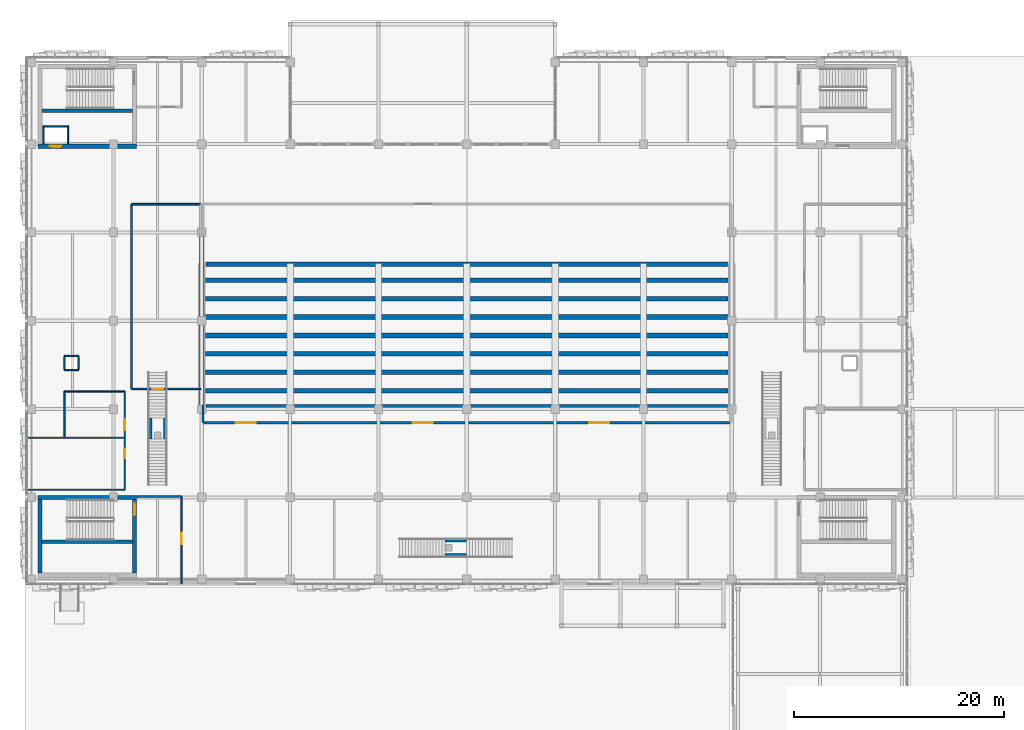
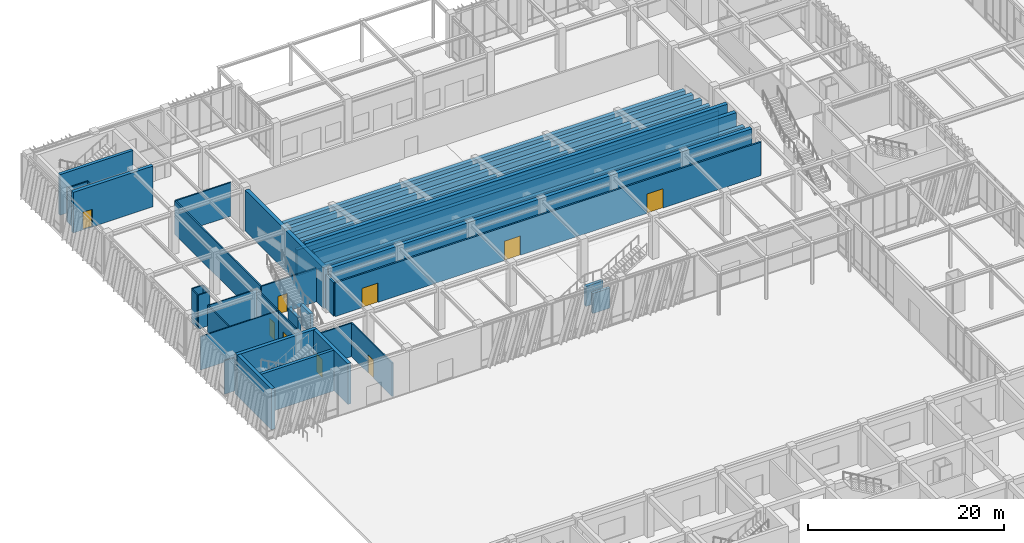
# One storey, part 96 of 122: 40 walls, 9 doors, 9 openings.
"""IFC4 building model written with IfcOpenShell, lengths in metres."""

from ifc_helpers import new_model, si_unit, direction, frame, frame_2d, origin, place, context, subcontext, project, spatial, rectangle, extrude, material, layer, layer_set, type_object, element, fill, save


model = new_model("IFC4")

# Units and contexts
model_context = context("Model", 3, precision=1e-05, world=origin(), true_north=direction((0.0, 1.0)))
body_context = subcontext(model_context, "Body", "Model", "MODEL_VIEW")
ifc_project = project(units=[si_unit("LENGTHUNIT", "METRE"), si_unit("AREAUNIT", "SQUARE_METRE"), si_unit("VOLUMEUNIT", "CUBIC_METRE"), si_unit("PLANEANGLEUNIT", "RADIAN"), si_unit("MASSUNIT", "GRAM", prefix="KILO")], contexts=[model_context])

# Site, building, storey
site_placement = place(None, origin())
site = spatial("IfcSite", under=ifc_project, at=site_placement, CompositionType="ELEMENT")
building_placement = place(site_placement, origin())
building = spatial("IfcBuilding", under=site, at=building_placement, Name="Zayran Congress Hotel", CompositionType="ELEMENT")
storey_placement = place(building_placement, origin())
storey = spatial("IfcBuildingStorey", under=building, at=storey_placement, Name="L00", CompositionType="ELEMENT", Elevation=0.0)

# Walls
ifc_material_1 = material(Name="Concrete C32/40", Category="concrete")
ifc_layer_1 = layer(ifc_material_1, 0.449951171875)
ifc_layer_set_1 = layer_set([ifc_layer_1], Name="Concrete C32/40")
wall_type_1 = type_object("IfcWallType", Name="WL-RT-450", PredefinedType="USERDEFINED", material=ifc_layer_set_1)
wall_1_placement = place(storey_placement, frame((25.199951171875, 84.800048828125, 0.0), z_axis=(0.0, 0.0, 1.0), x_axis=(0.0, 1.0, 0.0)))
element("IfcWall", 1, at=wall_1_placement, inside=storey, type_object=wall_type_1, Name="RKWALL-L00-SIDE-W", ObjectType="RETAININGWALL", PredefinedType="USERDEFINED", context=body_context, shape_type="SweptSolid", body=[
    extrude(rectangle(XDim=16.0, YDim=0.449951171875, at=frame_2d((8.0, 0.0))), origin(), (0.0, 0.0, 1.0), 5.080078125),
])
wall_2_placement = place(storey_placement, frame((25.60009765625, 84.625, 0.0), z_axis=(0.0, 0.0, 1.0), x_axis=(1.0, 0.0, 0.0)))
element("IfcWall", 2, at=wall_2_placement, inside=storey, type_object=wall_type_1, Name="RKWALL-L00-BACK", ObjectType="RETAININGWALL", PredefinedType="USERDEFINED", context=body_context, shape_type="SweptSolid", body=[
    extrude(rectangle(XDim=49.599853515625, YDim=0.449951171875, at=frame_2d((24.7998046875, 0.0))), origin(), (0.0, 0.0, 1.0), 5.080078125),
])
wall_3_placement = place(storey_placement, frame((25.60009765625, 98.175048828125, 0.0), z_axis=(0.0, 0.0, 1.0), x_axis=(1.0, 0.0, 0.0)))
element("IfcWall", 3, at=wall_3_placement, inside=storey, type_object=wall_type_1, Name="RKWALL-L00-FRONT", ObjectType="RETAININGWALL", PredefinedType="USERDEFINED", context=body_context, shape_type="SweptSolid", body=[
    extrude(rectangle(XDim=49.599853515625, YDim=0.449951171875, at=frame_2d((24.7998046875, 0.0))), origin(), (0.0, 0.0, 1.0), 1.6201171875),
])
wall_4_placement = place(storey_placement, frame((25.550048828125, 86.14990234375, 0.0), z_axis=(0.0, 0.0, 1.0), x_axis=(1.0, 0.0, 0.0)))
element("IfcWall", 4, at=wall_4_placement, inside=storey, type_object=wall_type_1, Name="RKWALL-L00-TJ1", ObjectType="RETAININGWALL", PredefinedType="USERDEFINED", context=body_context, shape_type="SweptSolid", body=[
    extrude(rectangle(XDim=49.699951171875, YDim=0.449951171875, at=frame_2d((24.85009765625, 0.0))), origin(), (0.0, 0.0, 1.0), 4.419921875),
])
for number, where, z_axis, x_axis, name in (
    (5, (25.550048828125, 87.89990234375, 0.0), (0.0, 0.0, 1.0), (1.0, 0.0, 0.0), "RKWALL-L00-TJ2"),
    (6, (25.550048828125, 89.64990234375, 0.0), (0.0, 0.0, 1.0), (1.0, 0.0, 0.0), "RKWALL-L00-TJ3"),
):
    element("IfcWall", number, at=place(storey_placement, frame(where, z_axis=z_axis, x_axis=x_axis)), inside=storey, type_object=wall_type_1, Name=name, ObjectType="RETAININGWALL", PredefinedType="USERDEFINED", context=body_context, shape_type="SweptSolid", body=[
        extrude(rectangle(XDim=49.699951171875, YDim=0.449951171875, at=frame_2d((24.85009765625, 0.0))), origin(), (0.0, 0.0, 1.0), 5.080078125),
    ])
wall_5_placement = place(storey_placement, frame((25.550048828125, 91.39990234375, 0.0), z_axis=(0.0, 0.0, 1.0), x_axis=(1.0, 0.0, 0.0)))
element("IfcWall", 7, at=wall_5_placement, inside=storey, type_object=wall_type_1, Name="RKWALL-L00-TJ4", ObjectType="RETAININGWALL", PredefinedType="USERDEFINED", context=body_context, shape_type="SweptSolid", body=[
    extrude(rectangle(XDim=49.699951171875, YDim=0.449951171875, at=frame_2d((24.85009765625, 0.0))), origin(), (0.0, 0.0, 1.0), 3.219970703125),
])
wall_6_placement = place(storey_placement, frame((25.550048828125, 93.14990234375, 0.0), z_axis=(0.0, 0.0, 1.0), x_axis=(1.0, 0.0, 0.0)))
element("IfcWall", 8, at=wall_6_placement, inside=storey, type_object=wall_type_1, Name="RKWALL-L00-TJ5", ObjectType="RETAININGWALL", PredefinedType="USERDEFINED", context=body_context, shape_type="SweptSolid", body=[
    extrude(rectangle(XDim=49.699951171875, YDim=0.449951171875, at=frame_2d((24.85009765625, 0.0))), origin(), (0.0, 0.0, 1.0), 2.820068359375),
])
wall_7_placement = place(storey_placement, frame((25.550048828125, 94.89990234375, 0.0), z_axis=(0.0, 0.0, 1.0), x_axis=(1.0, 0.0, 0.0)))
element("IfcWall", 9, at=wall_7_placement, inside=storey, type_object=wall_type_1, Name="RKWALL-L00-TJ6", ObjectType="RETAININGWALL", PredefinedType="USERDEFINED", context=body_context, shape_type="SweptSolid", body=[
    extrude(rectangle(XDim=49.699951171875, YDim=0.449951171875, at=frame_2d((24.85009765625, 0.0))), origin(), (0.0, 0.0, 1.0), 2.419921875),
])
wall_8_placement = place(storey_placement, frame((25.550048828125, 96.64990234375, 0.0), z_axis=(0.0, 0.0, 1.0), x_axis=(1.0, 0.0, 0.0)))
element("IfcWall", 10, at=wall_8_placement, inside=storey, type_object=wall_type_1, Name="RKWALL-L00-TJ7", ObjectType="RETAININGWALL", PredefinedType="USERDEFINED", context=body_context, shape_type="SweptSolid", body=[
    extrude(rectangle(XDim=49.699951171875, YDim=0.449951171875, at=frame_2d((24.85009765625, 0.0))), origin(), (0.0, 0.0, 1.0), 2.02001953125),
])

# Wall, opening, door
ifc_material_2 = material(Name="Concrete C40/50", Category="concrete")
ifc_layer_2 = layer(ifc_material_2, 0.39990234375)
ifc_layer_set_2 = layer_set([ifc_layer_2], Name="Concrete C40/50")
wall_type_2 = type_object("IfcWallType", Name="WL-SH-400", PredefinedType="SHEAR", material=ifc_layer_set_2)
wall_9_placement = place(storey_placement, frame((9.60009765625, 109.39990234375, 0.0), z_axis=(0.0, 0.0, 1.0), x_axis=(1.0, 0.0, 0.0)))
wall_9 = element("IfcWall", 11, at=wall_9_placement, inside=storey, type_object=wall_type_2, Name="CWALL-C-V1W-L00-S", PredefinedType="SHEAR", context=body_context, shape_type="SweptSolid", body=[
    extrude(rectangle(XDim=9.39990234375, YDim=0.39990234375, at=frame_2d((4.699951171875, 0.0))), origin(), (0.0, 0.0, 1.0), 5.080078125),
])
opening_1_placement = place(wall_9_placement, frame((1.14990234375, 0.0, 0.0)))
opening_1 = element("IfcOpeningElement", 12, at=opening_1_placement, cuts=wall_9, Name="Opening LD-PL04", PredefinedType="OPENING", context=body_context, shape_type="SweptSolid", body=[
    extrude(rectangle(XDim=1.10009765625, YDim=2.199951171875, at=frame_2d((0.550048828125, 1.10009765625))), frame((0.0, 0.2099609375, 0.0), z_axis=(0.0, -1.0, 0.0), x_axis=(1.0, 0.0, 0.0)), (0.0, 0.0, 1.0), 0.419921875),
])
ifc_material_3 = material(Name="Brushed stainless steel sliding lift landing door", Category="steel")
door_type_1 = type_object("IfcDoorType", Name="TP-DR-LD-01", OperationType="DOUBLE_DOOR_SLIDING", PredefinedType="DOOR", material=ifc_material_3)
door_1_placement = place(opening_1_placement, origin())
door_1 = element("IfcDoor", 13, at=door_1_placement, inside=storey, type_object=door_type_1, Name="Lift PL-04 Sliding Landing Door L00", OperationType="DOUBLE_DOOR_SLIDING", OverallHeight=2.199951171875, OverallWidth=1.10009765625, PredefinedType="DOOR", context=body_context, shape_type="SweptSolid", body=[
    extrude(rectangle(XDim=1.10009765625, YDim=2.199951171875, at=frame_2d((0.550048828125, 1.10009765625))), frame((0.0, 0.02490234375, 0.0), z_axis=(0.0, -1.0, 0.0), x_axis=(1.0, 0.0, 0.0)), (0.0, 0.0, 1.0), 0.050048828125),
])
fill(opening_1, door_1)

# Walls
wall_10_placement = place(storey_placement, frame((19.0, 75.985107421875, 0.0), z_axis=(0.0, 0.0, 1.0), x_axis=(-1.0, 0.0, 0.0)))
element("IfcWall", 14, at=wall_10_placement, inside=storey, type_object=wall_type_2, Name="CWALL-C-V1S-L00-N", PredefinedType="SHEAR", context=body_context, shape_type="SweptSolid", body=[
    extrude(rectangle(XDim=9.39990234375, YDim=0.39990234375, at=frame_2d((4.699951171875, 0.0))), origin(), (0.0, 0.0, 1.0), 5.080078125),
])
wall_11_placement = place(storey_placement, frame((9.800048828125, 75.800048828125, 0.0), z_axis=(0.0, 0.0, 1.0), x_axis=(0.0, -1.0, 0.0)))
element("IfcWall", 15, at=wall_11_placement, inside=storey, type_object=wall_type_2, Name="CWALL-C-V1S-L00-W", PredefinedType="SHEAR", context=body_context, shape_type="SweptSolid", body=[
    extrude(rectangle(XDim=7.0, YDim=0.39990234375, at=frame_2d((3.5, 0.0))), origin(), (0.0, 0.0, 1.0), 5.080078125),
])

# Wall, opening, door
wall_12_placement = place(storey_placement, frame((18.800048828125, 68.800048828125, 0.0), z_axis=(0.0, 0.0, 1.0), x_axis=(0.0, 1.0, 0.0)))
wall_12 = element("IfcWall", 16, at=wall_12_placement, inside=storey, type_object=wall_type_2, Name="CWALL-C-V1S-L00-E", PredefinedType="SHEAR", context=body_context, shape_type="SweptSolid", body=[
    extrude(rectangle(XDim=7.0, YDim=0.39990234375, at=frame_2d((3.5, 0.0))), origin(), (0.0, 0.0, 1.0), 5.080078125),
])
opening_2_placement = place(wall_12_placement, frame((5.5, 0.0, 0.0)))
opening_2 = element("IfcOpeningElement", 17, at=opening_2_placement, cuts=wall_12, Name="Opening DR-FD-90", PredefinedType="OPENING", context=body_context, shape_type="SweptSolid", body=[
    extrude(rectangle(XDim=1.14990234375, YDim=2.199951171875, at=frame_2d((0.574951171875, 1.10009765625))), frame((0.0, 0.2099609375, 0.0), z_axis=(0.0, -1.0, 0.0), x_axis=(1.0, 0.0, 0.0)), (0.0, 0.0, 1.0), 0.419921875),
])
ifc_material_4 = material(Name="Painted steel fire door assembly", Category="steel")
door_type_2 = type_object("IfcDoorType", Name="TP-DR-FD-90", OperationType="NOTDEFINED", PredefinedType="DOOR", material=ifc_material_4)
door_2_placement = place(opening_2_placement, origin())
door_2 = element("IfcDoor", 18, at=door_2_placement, inside=storey, type_object=door_type_2, Name="ST-05 Exit Stair Door L00", OperationType="SINGLE_SWING_RIGHT", OverallHeight=2.199951171875, OverallWidth=1.14990234375, PredefinedType="DOOR", context=body_context, shape_type="SweptSolid", body=[
    extrude(rectangle(XDim=1.14990234375, YDim=2.199951171875, at=frame_2d((0.574951171875, 1.10009765625))), frame((0.0, 0.02490234375, 0.0), z_axis=(0.0, -1.0, 0.0), x_axis=(1.0, 0.0, 0.0)), (0.0, 0.0, 1.0), 0.050048828125),
])
fill(opening_2, door_2)

# Walls
ifc_layer_3 = layer(ifc_material_2, 0.35009765625)
ifc_layer_set_3 = layer_set([ifc_layer_3], Name="Concrete C40/50")
wall_type_3 = type_object("IfcWallType", Name="WL-SH-350", PredefinedType="SHEAR", material=ifc_layer_set_3)
for number, where, z_axis, x_axis, name in (
    (19, (10.0, 112.784912109375, 0.0), (0.0, 0.0, 1.0), (1.0, 0.0, 0.0), "CWALL-C-V1W-L00-SPN"),
    (20, (10.0, 71.784912109375, 0.0), (0.0, 0.0, 1.0), (1.0, 0.0, 0.0), "CWALL-C-V1S-L00-SPN"),
):
    element("IfcWall", number, at=place(storey_placement, frame(where, z_axis=z_axis, x_axis=x_axis)), inside=storey, type_object=wall_type_3, Name=name, PredefinedType="SHEAR", context=body_context, shape_type="SweptSolid", body=[
        extrude(rectangle(XDim=8.60009765625, YDim=0.35009765625, at=frame_2d((4.300048828125, 0.0))), origin(), (0.0, 0.0, 1.0), 5.080078125),
    ])
for number, where, z_axis, x_axis, name in (
    (21, (21.72509765625, 81.550048828125, 0.0), (0.0, 0.0, 1.0), (0.0, 1.0, 0.0), "VWALL-SUP-01-R"),
    (22, (20.27490234375, 81.550048828125, 0.0), (0.0, 0.0, 1.0), (0.0, 1.0, 0.0), "VWALL-SUP-01-L"),
    (23, (48.35009765625, 70.47509765625, 0.0), (0.0, 0.0, 1.0), (1.0, 0.0, 0.0), "VWALL-SUP-03-R"),
    (24, (48.35009765625, 71.925048828125, 0.0), (0.0, 0.0, 1.0), (1.0, 0.0, 0.0), "VWALL-SUP-03-L"),
):
    element("IfcWall", number, at=place(storey_placement, frame(where, z_axis=z_axis, x_axis=x_axis)), inside=storey, type_object=wall_type_3, Name=name, PredefinedType="SHEAR", context=body_context, shape_type="SweptSolid", body=[
        extrude(rectangle(XDim=2.0, YDim=0.35009765625, at=frame_2d((1.0, 0.0))), origin(), (0.0, 0.0, 1.0), 2.5),
    ])

# Wall, openings, doors
ifc_material_5 = material(Name="Concrete C32/40 acoustic masonry", Category="masonry")
ifc_layer_4 = layer(ifc_material_5, 0.199951171875)
ifc_layer_set_4 = layer_set([ifc_layer_4], Name="Concrete C32/40 acoustic masonry")
wall_type_4 = type_object("IfcWallType", Name="WL-SL-200", PredefinedType="SOLIDWALL", material=ifc_layer_set_4)
wall_13_placement = place(storey_placement, frame((25.320068359375, 83.10009765625, 0.0), z_axis=(0.0, 0.0, 1.0), x_axis=(1.0, 0.0, 0.0)))
wall_13 = element("IfcWall", 25, at=wall_13_placement, inside=storey, type_object=wall_type_4, Name="IW-L00-0388", PredefinedType="SOLIDWALL", context=body_context, shape_type="SweptSolid", body=[
    extrude(rectangle(XDim=50.159912109375, YDim=0.199951171875, at=frame_2d((25.080078125, 0.0))), origin(), (0.0, 0.0, 1.0), 4.179931640625),
])
opening_3_placement = place(wall_13_placement, frame((3.1298828125, 0.0, 0.0)))
opening_3 = element("IfcOpeningElement", 26, at=opening_3_placement, cuts=wall_13, Name="Opening DR-VP-01", PredefinedType="OPENING", context=body_context, shape_type="SweptSolid", body=[
    extrude(rectangle(XDim=1.89990234375, YDim=2.39990234375, at=frame_2d((0.949951171875, 1.199951171875))), frame((0.0, 0.10986328125, 0.0), z_axis=(0.0, -1.0, 0.0), x_axis=(1.0, 0.0, 0.0)), (0.0, 0.0, 1.0), 0.219970703125),
])
opening_4_placement = place(wall_13_placement, frame((19.929931640625, 0.0, 0.0)))
opening_4 = element("IfcOpeningElement", 27, at=opening_4_placement, cuts=wall_13, Name="Opening DR-VP-01", PredefinedType="OPENING", context=body_context, shape_type="SweptSolid", body=[
    extrude(rectangle(XDim=1.89990234375, YDim=2.39990234375, at=frame_2d((0.949951171875, 1.199951171875))), frame((0.0, 0.10986328125, 0.0), z_axis=(0.0, -1.0, 0.0), x_axis=(1.0, 0.0, 0.0)), (0.0, 0.0, 1.0), 0.219970703125),
])
opening_5_placement = place(wall_13_placement, frame((36.72998046875, 0.0, 0.0)))
opening_5 = element("IfcOpeningElement", 28, at=opening_5_placement, cuts=wall_13, Name="Opening DR-VP-01", PredefinedType="OPENING", context=body_context, shape_type="SweptSolid", body=[
    extrude(rectangle(XDim=1.89990234375, YDim=2.39990234375, at=frame_2d((0.949951171875, 1.199951171875))), frame((0.0, 0.10986328125, 0.0), z_axis=(0.0, -1.0, 0.0), x_axis=(1.0, 0.0, 0.0)), (0.0, 0.0, 1.0), 0.219970703125),
])
ifc_material_6 = material(Name="Acoustic Congress Hall vomitory portal door", Category="steel")
door_type_3 = type_object("IfcDoorType", Name="TP-DR-VP-01", OperationType="DOUBLE_DOOR_SINGLE_SWING", PredefinedType="DOOR", material=ifc_material_6)
door_3_placement = place(opening_3_placement, origin())
door_3 = element("IfcDoor", 29, at=door_3_placement, inside=storey, type_object=door_type_3, Name="Congress Vomitory Portal L00-1", OperationType="DOUBLE_DOOR_SINGLE_SWING", OverallHeight=2.39990234375, OverallWidth=1.89990234375, PredefinedType="DOOR", context=body_context, shape_type="SweptSolid", body=[
    extrude(rectangle(XDim=1.89990234375, YDim=2.39990234375, at=frame_2d((0.949951171875, 1.199951171875))), frame((0.0, 0.02490234375, 0.0), z_axis=(0.0, -1.0, 0.0), x_axis=(1.0, 0.0, 0.0)), (0.0, 0.0, 1.0), 0.050048828125),
])
fill(opening_3, door_3)
door_4_placement = place(opening_4_placement, origin())
door_4 = element("IfcDoor", 30, at=door_4_placement, inside=storey, type_object=door_type_3, Name="Congress Vomitory Portal L00-2", OperationType="DOUBLE_DOOR_SINGLE_SWING", OverallHeight=2.39990234375, OverallWidth=1.89990234375, PredefinedType="DOOR", context=body_context, shape_type="SweptSolid", body=[
    extrude(rectangle(XDim=1.89990234375, YDim=2.39990234375, at=frame_2d((0.949951171875, 1.199951171875))), frame((0.0, 0.02490234375, 0.0), z_axis=(0.0, -1.0, 0.0), x_axis=(1.0, 0.0, 0.0)), (0.0, 0.0, 1.0), 0.050048828125),
])
fill(opening_4, door_4)
door_5_placement = place(opening_5_placement, origin())
door_5 = element("IfcDoor", 31, at=door_5_placement, inside=storey, type_object=door_type_3, Name="Congress Vomitory Portal L00-3", OperationType="DOUBLE_DOOR_SINGLE_SWING", OverallHeight=2.39990234375, OverallWidth=1.89990234375, PredefinedType="DOOR", context=body_context, shape_type="SweptSolid", body=[
    extrude(rectangle(XDim=1.89990234375, YDim=2.39990234375, at=frame_2d((0.949951171875, 1.199951171875))), frame((0.0, 0.02490234375, 0.0), z_axis=(0.0, -1.0, 0.0), x_axis=(1.0, 0.0, 0.0)), (0.0, 0.0, 1.0), 0.050048828125),
])
fill(opening_5, door_5)

# Wall
wall_14_placement = place(storey_placement, frame((25.300048828125, 83.1201171875, 0.0), z_axis=(0.0, 0.0, 1.0), x_axis=(0.0, 1.0, 0.0)))
element("IfcWall", 32, at=wall_14_placement, inside=storey, type_object=wall_type_4, Name="IW-L00-1653", PredefinedType="SOLIDWALL", context=body_context, shape_type="SweptSolid", body=[
    extrude(rectangle(XDim=1.679931640625, YDim=0.199951171875, at=frame_2d((0.83984375, 0.0))), origin(), (0.0, 0.0, 1.0), 4.179931640625),
])

# Wall, opening, door
ifc_material_7 = material(Name="Acoustic twin-stud gypsum partition", Category="gypsum")
ifc_layer_5 = layer(ifc_material_7, 0.159912109375)
ifc_layer_set_5 = layer_set([ifc_layer_5], Name="Acoustic twin-stud gypsum partition")
wall_type_5 = type_object("IfcWallType", Name="WL-PT-160", PredefinedType="PARTITIONING", material=ifc_layer_set_5)
wall_15_placement = place(storey_placement, frame((18.52001953125, 86.320068359375, 0.0), z_axis=(0.0, 0.0, 1.0), x_axis=(1.0, 0.0, 0.0)))
wall_15 = element("IfcWall", 33, at=wall_15_placement, inside=storey, type_object=wall_type_5, Name="IW-L00-0390", PredefinedType="PARTITIONING", context=body_context, shape_type="SweptSolid", body=[
    extrude(rectangle(XDim=6.56005859375, YDim=0.159912109375, at=frame_2d((3.280029296875, 0.0))), origin(), (0.0, 0.0, 1.0), 4.179931640625),
])
opening_6_placement = place(wall_15_placement, frame((1.943115234375, 0.0, 0.0)))
opening_6 = element("IfcOpeningElement", 34, at=opening_6_placement, cuts=wall_15, Name="Opening DR-MT-01", PredefinedType="OPENING", context=body_context, shape_type="SweptSolid", body=[
    extrude(rectangle(XDim=1.080078125, YDim=2.25, at=frame_2d((0.5400390625, 1.125))), frame((0.0, 0.08984375, 0.0), z_axis=(0.0, -1.0, 0.0), x_axis=(1.0, 0.0, 0.0)), (0.0, 0.0, 1.0), 0.179931640625),
])
ifc_material_8 = material(Name="Acoustic timber seminar room door", Category="wood")
door_type_4 = type_object("IfcDoorType", Name="TP-DR-MT-01", OperationType="NOTDEFINED", PredefinedType="DOOR", material=ifc_material_8)
door_6_placement = place(opening_6_placement, origin())
door_6 = element("IfcDoor", 35, at=door_6_placement, inside=storey, type_object=door_type_4, Name="Backstage Green Room West Door", OperationType="SINGLE_SWING_LEFT", OverallHeight=2.25, OverallWidth=1.080078125, PredefinedType="DOOR", context=body_context, shape_type="SweptSolid", body=[
    extrude(rectangle(XDim=1.080078125, YDim=2.25, at=frame_2d((0.5400390625, 1.125))), frame((0.0, 0.02490234375, 0.0), z_axis=(0.0, -1.0, 0.0), x_axis=(1.0, 0.0, 0.0)), (0.0, 0.0, 1.0), 0.050048828125),
])
fill(opening_6, door_6)

wall_16_placement = place(storey_placement, frame((23.280029296875, 67.77001953125, 0.0), z_axis=(0.0, 0.0, 1.0), x_axis=(0.0, 1.0, 0.0)))
wall_16 = element("IfcWall", 36, at=wall_16_placement, inside=storey, type_object=wall_type_5, Name="IW-L00-0392", PredefinedType="PARTITIONING", context=body_context, shape_type="SweptSolid", body=[
    extrude(rectangle(XDim=8.31005859375, YDim=0.159912109375, at=frame_2d((4.155029296875, 0.0))), origin(), (0.0, 0.0, 1.0), 4.179931640625),
])
opening_7_placement = place(wall_16_placement, frame((3.77294921875, 0.0, 0.0)))
opening_7 = element("IfcOpeningElement", 37, at=opening_7_placement, cuts=wall_16, Name="Opening DR-MT-01", PredefinedType="OPENING", context=body_context, shape_type="SweptSolid", body=[
    extrude(rectangle(XDim=1.080078125, YDim=2.25, at=frame_2d((0.5400390625, 1.125))), frame((0.0, 0.08984375, 0.0), z_axis=(0.0, -1.0, 0.0), x_axis=(1.0, 0.0, 0.0)), (0.0, 0.0, 1.0), 0.179931640625),
])
door_7_placement = place(opening_7_placement, origin())
door_7 = element("IfcDoor", 38, at=door_7_placement, inside=storey, type_object=door_type_4, Name="Protected Exit Vestibule ST-05 L00 Door", OperationType="SINGLE_SWING_LEFT", OverallHeight=2.25, OverallWidth=1.080078125, PredefinedType="DOOR", context=body_context, shape_type="SweptSolid", body=[
    extrude(rectangle(XDim=1.080078125, YDim=2.25, at=frame_2d((0.5400390625, 1.125))), frame((0.0, 0.02490234375, 0.0), z_axis=(0.0, -1.0, 0.0), x_axis=(1.0, 0.0, 0.0)), (0.0, 0.0, 1.0), 0.050048828125),
])
fill(opening_7, door_7)

# Walls
wall_17_placement = place(storey_placement, frame((18.52001953125, 103.8798828125, 0.0), z_axis=(0.0, 0.0, 1.0), x_axis=(1.0, 0.0, 0.0)))
element("IfcWall", 39, at=wall_17_placement, inside=storey, type_object=wall_type_5, Name="IW-L00-1657", PredefinedType="PARTITIONING", context=body_context, shape_type="SweptSolid", body=[
    extrude(rectangle(XDim=6.56005859375, YDim=0.159912109375, at=frame_2d((3.280029296875, 0.0))), origin(), (0.0, 0.0, 1.0), 4.179931640625),
])
wall_18_placement = place(storey_placement, frame((18.52001953125, 86.320068359375, 0.0), z_axis=(0.0, 0.0, 1.0), x_axis=(0.0, 1.0, 0.0)))
element("IfcWall", 40, at=wall_18_placement, inside=storey, type_object=wall_type_5, Name="IW-L00-1658", PredefinedType="PARTITIONING", context=body_context, shape_type="SweptSolid", body=[
    extrude(rectangle(XDim=17.559814453125, YDim=0.159912109375, at=frame_2d((8.77978515625, 0.0))), origin(), (0.0, 0.0, 1.0), 4.179931640625),
])
wall_19_placement = place(storey_placement, frame((19.070068359375, 76.080078125, 0.0), z_axis=(0.0, 0.0, 1.0), x_axis=(1.0, 0.0, 0.0)))
element("IfcWall", 41, at=wall_19_placement, inside=storey, type_object=wall_type_5, Name="IW-L00-1662", PredefinedType="PARTITIONING", context=body_context, shape_type="SweptSolid", body=[
    extrude(rectangle(XDim=4.2099609375, YDim=0.159912109375, at=frame_2d((2.10498046875, 0.0))), origin(), (0.0, 0.0, 1.0), 4.179931640625),
])
ifc_material_9 = material(Name="Hospitality guestroom acoustic partition", Category="gypsum")
ifc_layer_6 = layer(ifc_material_9, 0.139892578125)
ifc_layer_set_6 = layer_set([ifc_layer_6], Name="Hospitality guestroom acoustic partition")
wall_type_6 = type_object("IfcWallType", Name="WL-PT-140", PredefinedType="PARTITIONING", material=ifc_layer_set_6)
for number, where, z_axis, x_axis, name in (
    (42, (10.1298828125, 109.60009765625, 0.0), (0.0, 0.0, 1.0), (0.0, 1.0, 0.0), "LSHW-C-V1W-L00-W"),
    (43, (12.469970703125, 109.60009765625, 0.0), (0.0, 0.0, 1.0), (0.0, 1.0, 0.0), "LSHW-C-V1W-L00-E"),
):
    element("IfcWall", number, at=place(storey_placement, frame(where, z_axis=z_axis, x_axis=x_axis)), inside=storey, type_object=wall_type_6, Name=name, PredefinedType="PARTITIONING", context=body_context, shape_type="SweptSolid", body=[
        extrude(rectangle(XDim=1.599853515625, YDim=0.139892578125, at=frame_2d((0.7998046875, 0.0))), origin(), (0.0, 0.0, 1.0), 4.22998046875),
    ])
wall_20_placement = place(storey_placement, frame((10.06005859375, 111.27001953125, 0.0), z_axis=(0.0, 0.0, 1.0), x_axis=(1.0, 0.0, 0.0)))
element("IfcWall", 44, at=wall_20_placement, inside=storey, type_object=wall_type_6, Name="LSHW-C-V1W-L00-N", PredefinedType="PARTITIONING", context=body_context, shape_type="SweptSolid", body=[
    extrude(rectangle(XDim=2.47998046875, YDim=0.139892578125, at=frame_2d((1.239990234375, 0.0))), origin(), (0.0, 0.0, 1.0), 4.22998046875),
])
for number, where, z_axis, x_axis, name in (
    (45, (12.1298828125, 88.1298828125, 0.0), (0.0, 0.0, 1.0), (1.0, 0.0, 0.0), "RSWL-V1-L00-001-S"),
    (46, (13.489990234375, 89.449951171875, 0.0), (0.0, 0.0, 1.0), (-1.0, 0.0, 0.0), "RSWL-V1-L00-001-N"),
):
    element("IfcWall", number, at=place(storey_placement, frame(where, z_axis=z_axis, x_axis=x_axis)), inside=storey, type_object=wall_type_6, Name=name, PredefinedType="PARTITIONING", context=body_context, shape_type="SweptSolid", body=[
        extrude(rectangle(XDim=1.360107421875, YDim=0.139892578125, at=frame_2d((0.68017578125, 0.0))), origin(), (0.0, 0.0, 1.0), 4.199951171875),
    ])
for number, where, z_axis, x_axis, name in (
    (47, (12.1298828125, 89.3798828125, 0.0), (0.0, 0.0, 1.0), (0.0, -1.0, 0.0), "RSWL-V1-L00-001-W"),
    (48, (13.489990234375, 88.199951171875, 0.0), (0.0, 0.0, 1.0), (0.0, 1.0, 0.0), "RSWL-V1-L00-001-E"),
):
    element("IfcWall", number, at=place(storey_placement, frame(where, z_axis=z_axis, x_axis=x_axis)), inside=storey, type_object=wall_type_6, Name=name, PredefinedType="PARTITIONING", context=body_context, shape_type="SweptSolid", body=[
        extrude(rectangle(XDim=1.179931640625, YDim=0.139892578125, at=frame_2d((0.58984375, 0.0))), origin(), (0.0, 0.0, 1.0), 4.199951171875),
    ])

# Wall, opening, door
ifc_material_10 = material(Name="Moisture-resistant bathroom partition", Category="gypsum")
ifc_layer_7 = layer(ifc_material_10, 0.1201171875)
ifc_layer_set_7 = layer_set([ifc_layer_7], Name="Moisture-resistant bathroom partition")
wall_type_7 = type_object("IfcWallType", Name="WL-PT-120", PredefinedType="PARTITIONING", material=ifc_layer_set_7)
wall_21_placement = place(storey_placement, frame((17.8701171875, 76.719970703125, 0.0), z_axis=(0.0, 0.0, 1.0), x_axis=(0.0, 1.0, 0.0)))
wall_21 = element("IfcWall", 49, at=wall_21_placement, inside=storey, type_object=wall_type_7, Name="IW-L00-0337", PredefinedType="PARTITIONING", context=body_context, shape_type="SweptSolid", body=[
    extrude(rectangle(XDim=4.9599609375, YDim=0.1201171875, at=frame_2d((2.47998046875, 0.0))), origin(), (0.0, 0.0, 1.0), 4.179931640625),
])
opening_8_placement = place(wall_21_placement, frame((3.006103515625, 0.0, 0.0)))
opening_8 = element("IfcOpeningElement", 50, at=opening_8_placement, cuts=wall_21, Name="Opening DR-WC-01", PredefinedType="OPENING", context=body_context, shape_type="SweptSolid", body=[
    extrude(rectangle(XDim=0.919921875, YDim=2.14990234375, at=frame_2d((0.4599609375, 1.074951171875))), frame((0.0, 0.070068359375, 0.0), z_axis=(0.0, -1.0, 0.0), x_axis=(1.0, 0.0, 0.0)), (0.0, 0.0, 1.0), 0.14013671875),
])
ifc_material_11 = material(Name="Laminated timber public washroom door", Category="wood")
door_type_5 = type_object("IfcDoorType", Name="TP-DR-WC-01", OperationType="NOTDEFINED", PredefinedType="DOOR", material=ifc_material_11)
door_8_placement = place(opening_8_placement, origin())
door_8 = element("IfcDoor", 51, at=door_8_placement, inside=storey, type_object=door_type_5, Name="Public WC L00 Congress West Door", OperationType="SINGLE_SWING_RIGHT", OverallHeight=2.14990234375, OverallWidth=0.919921875, PredefinedType="DOOR", context=body_context, shape_type="SweptSolid", body=[
    extrude(rectangle(XDim=0.919921875, YDim=2.14990234375, at=frame_2d((0.4599609375, 1.074951171875))), frame((0.0, 0.02490234375, 0.0), z_axis=(0.0, -1.0, 0.0), x_axis=(1.0, 0.0, 0.0)), (0.0, 0.0, 1.0), 0.050048828125),
])
fill(opening_8, door_8)

wall_22_placement = place(storey_placement, frame((17.8701171875, 81.719970703125, 0.0), z_axis=(0.0, 0.0, 1.0), x_axis=(0.0, 1.0, 0.0)))
wall_22 = element("IfcWall", 52, at=wall_22_placement, inside=storey, type_object=wall_type_7, Name="IW-L00-0338", PredefinedType="PARTITIONING", context=body_context, shape_type="SweptSolid", body=[
    extrude(rectangle(XDim=4.360107421875, YDim=0.1201171875, at=frame_2d((2.18017578125, 0.0))), origin(), (0.0, 0.0, 1.0), 4.179931640625),
])
opening_9_placement = place(wall_22_placement, frame((0.679931640625, 0.0, 0.0)))
opening_9 = element("IfcOpeningElement", 53, at=opening_9_placement, cuts=wall_22, Name="Opening DR-WC-02", PredefinedType="OPENING", context=body_context, shape_type="SweptSolid", body=[
    extrude(rectangle(XDim=1.0400390625, YDim=2.14990234375, at=frame_2d((0.52001953125, 1.074951171875))), frame((0.0, 0.070068359375, 0.0), z_axis=(0.0, -1.0, 0.0), x_axis=(1.0, 0.0, 0.0)), (0.0, 0.0, 1.0), 0.14013671875),
])
ifc_material_12 = material(Name="Accessible public washroom door", Category="steel")
door_type_6 = type_object("IfcDoorType", Name="TP-DR-WC-02", OperationType="NOTDEFINED", PredefinedType="DOOR", material=ifc_material_12)
door_9_placement = place(opening_9_placement, origin())
door_9 = element("IfcDoor", 54, at=door_9_placement, inside=storey, type_object=door_type_6, Name="Accessible WC L00 Congress Door", OperationType="SINGLE_SWING_LEFT", OverallHeight=2.14990234375, OverallWidth=1.0400390625, PredefinedType="DOOR", context=body_context, shape_type="SweptSolid", body=[
    extrude(rectangle(XDim=1.0400390625, YDim=2.14990234375, at=frame_2d((0.52001953125, 1.074951171875))), frame((0.0, 0.02490234375, 0.0), z_axis=(0.0, -1.0, 0.0), x_axis=(1.0, 0.0, 0.0)), (0.0, 0.0, 1.0), 0.050048828125),
])
fill(opening_9, door_9)

# Walls
for number, where, z_axis, x_axis, name in (
    (55, (8.639892578125, 76.72998046875, 0.0), (0.0, 0.0, 1.0), (1.0, 0.0, 0.0), "IW-L00-1542"),
    (56, (8.639892578125, 81.669921875, 0.0), (0.0, 0.0, 1.0), (1.0, 0.0, 0.0), "IW-L00-1543"),
):
    element("IfcWall", number, at=place(storey_placement, frame(where, z_axis=z_axis, x_axis=x_axis)), inside=storey, type_object=wall_type_7, Name=name, PredefinedType="PARTITIONING", context=body_context, shape_type="SweptSolid", body=[
        extrude(rectangle(XDim=9.239990234375, YDim=0.1201171875, at=frame_2d((4.6201171875, 0.0))), origin(), (0.0, 0.0, 1.0), 4.179931640625),
    ])
wall_23_placement = place(storey_placement, frame((12.1201171875, 86.070068359375, 0.0), z_axis=(0.0, 0.0, 1.0), x_axis=(1.0, 0.0, 0.0)))
element("IfcWall", 57, at=wall_23_placement, inside=storey, type_object=wall_type_7, Name="IW-L00-1544", PredefinedType="PARTITIONING", context=body_context, shape_type="SweptSolid", body=[
    extrude(rectangle(XDim=5.759765625, YDim=0.1201171875, at=frame_2d((2.8798828125, 0.0))), origin(), (0.0, 0.0, 1.0), 4.179931640625),
])
wall_24_placement = place(storey_placement, frame((12.1298828125, 81.719970703125, 0.0), z_axis=(0.0, 0.0, 1.0), x_axis=(0.0, 1.0, 0.0)))
element("IfcWall", 58, at=wall_24_placement, inside=storey, type_object=wall_type_7, Name="IW-L00-1545", PredefinedType="PARTITIONING", context=body_context, shape_type="SweptSolid", body=[
    extrude(rectangle(XDim=4.360107421875, YDim=0.1201171875, at=frame_2d((2.18017578125, 0.0))), origin(), (0.0, 0.0, 1.0), 4.179931640625),
])

save(model, "model.ifc")
